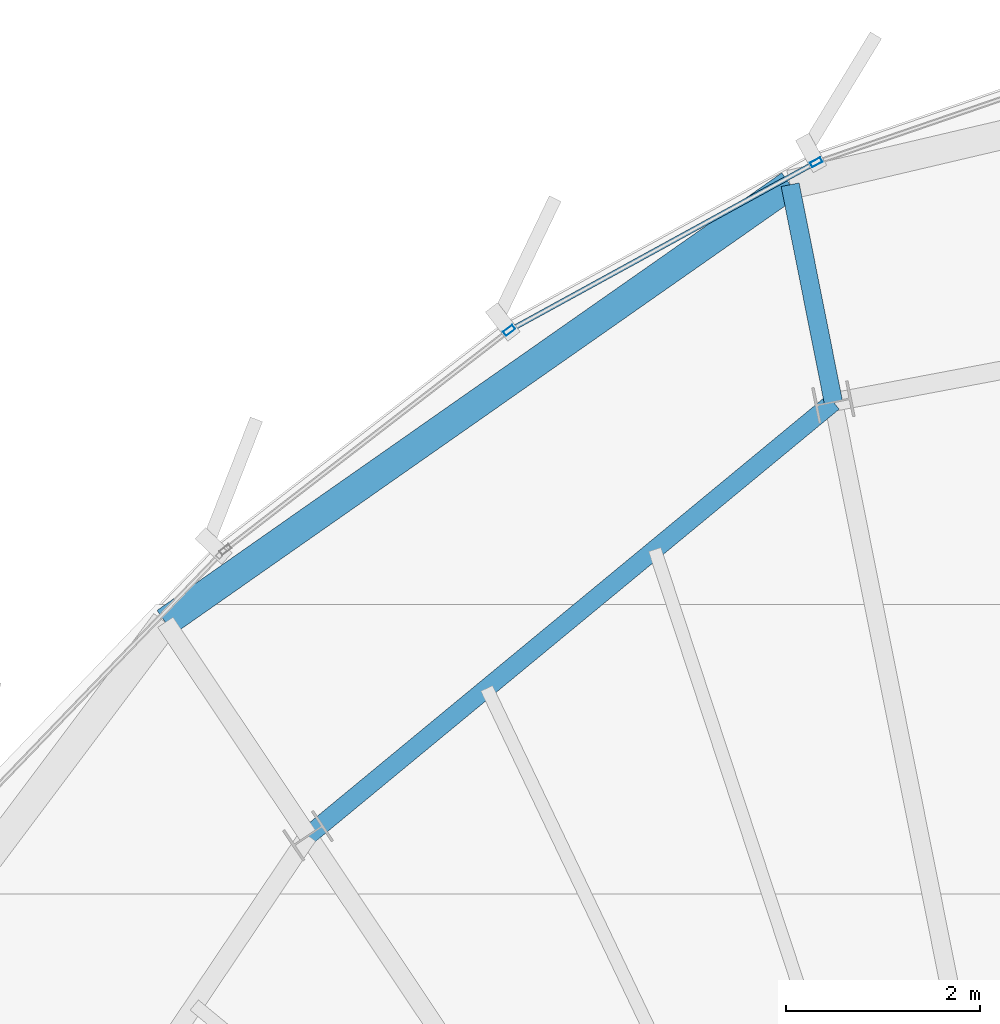
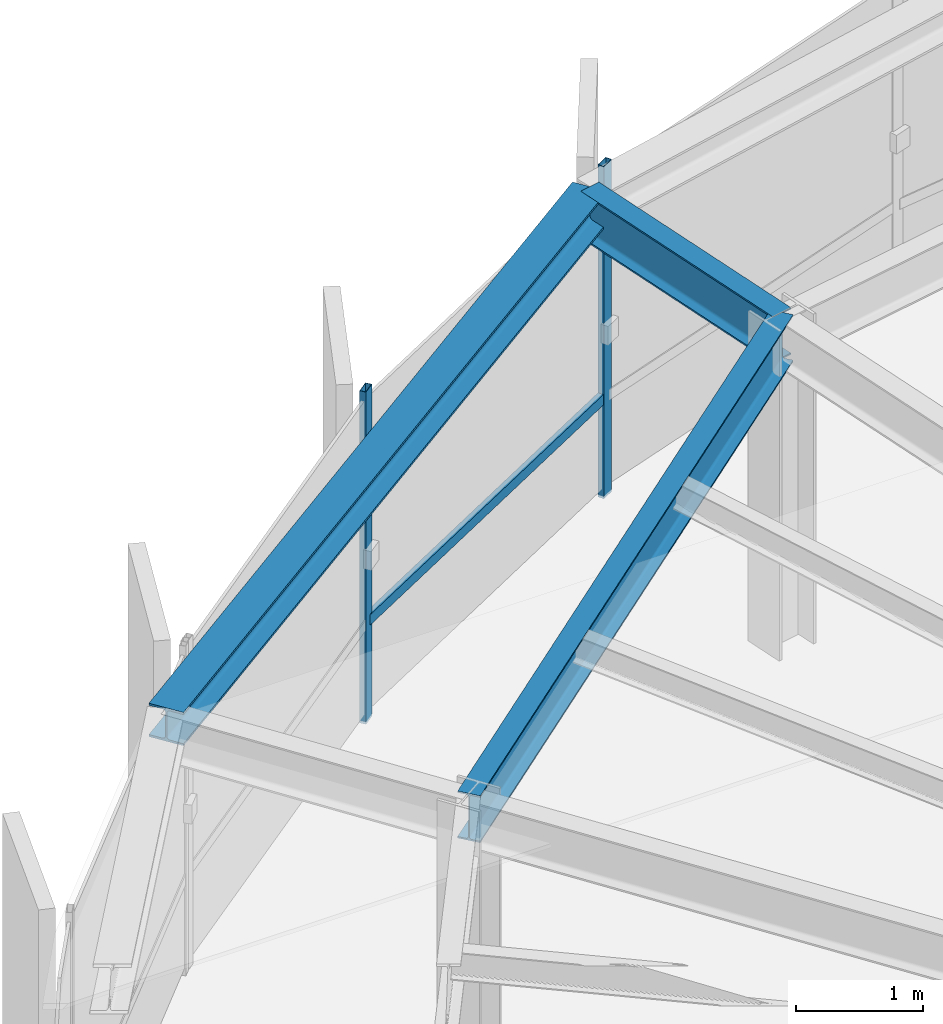
# One storey, part 19 of 31: 3 beams, 3 members, 1 element without a shape of its own.
"""IFC4 building model written with IfcOpenShell, lengths in metres."""

import ifcopenshell
import ifcopenshell.guid

model = None  # the IFC model being written
_history = None  # IfcOwnerHistory: only IFC2X3 demands one
_inside = {}  # id of a spatial element -> (the spatial element, [elements in it])
_under = {}  # id of a project, library or spatial element -> (it, [spatial elements below it])
_declared = {}  # id of a project -> (the project, [libraries it declares])
_typed = {}  # id of a type object -> (the type object, [elements of that type])
_made_of = {}  # id of a material, layer set ... -> (it, [elements and type objects made of it])


def new_model(schema):
    """Start an empty IFC model of exactly this schema.

    Asked for "IFC4X3", IfcOpenShell would pick the latest addendum, in which some entities
    have other attributes; the version numbers below select the first issue.
    IFC2X3 requires an IfcOwnerHistory on every rooted entity: one is made here for all.
    """
    global model, _history
    if schema == "IFC4X3":
        model = ifcopenshell.file(schema_version=(4, 3, 0, 0))
    else:
        model = ifcopenshell.file(schema=schema)
    _inside.clear()
    _under.clear()
    _declared.clear()
    _typed.clear()
    _made_of.clear()
    _history = None
    if model.schema == "IFC2X3":
        org = make("IfcOrganization", Name="unknown")
        user = make(
            "IfcPersonAndOrganization",
            ThePerson=make("IfcPerson", FamilyName="unknown"),
            TheOrganization=org,
        )
        app = make(
            "IfcApplication",
            ApplicationDeveloper=org,
            Version="unknown",
            ApplicationFullName="unknown",
            ApplicationIdentifier="unknown",
        )
        _history = make(
            "IfcOwnerHistory",
            OwningUser=user,
            OwningApplication=app,
            ChangeAction="ADDED",
            CreationDate=0,
        )
    return model


def make(cls, **values):
    """One entity of the class cls with the attributes given. An attribute that is None is left unset."""
    return model.create_entity(
        cls, **{name: value for name, value in values.items() if value is not None}
    )


def rooted(cls, **values):
    """An entity with a GlobalId (a new one), such as an element, a storey or a relation."""
    return make(cls, GlobalId=ifcopenshell.guid.new(), OwnerHistory=_history, **values)


def si_unit(unit_type, name, prefix=None):
    """IfcSIUnit, for example si_unit("LENGTHUNIT", "METRE", prefix="MILLI")."""
    return make("IfcSIUnit", UnitType=unit_type, Prefix=prefix, Name=name)


def assignment(units):
    """IfcUnitAssignment: the units of a project."""
    return None if units is None else make("IfcUnitAssignment", Units=units)


def point(xyz):
    """IfcCartesianPoint."""
    return None if xyz is None else make("IfcCartesianPoint", Coordinates=xyz)


def direction(xyz):
    """IfcDirection."""
    return None if xyz is None else make("IfcDirection", DirectionRatios=xyz)


def frame(location, z_axis=None, x_axis=None):
    """IfcAxis2Placement3D, a coordinate frame: its origin and axes. An axis left out is left unset."""
    return make(
        "IfcAxis2Placement3D",
        Location=point(location),
        Axis=direction(z_axis),
        RefDirection=direction(x_axis),
    )


def frame_2d(location, x_axis=None):
    """IfcAxis2Placement2D, a coordinate frame in the plane: its origin and x axis."""
    return make(
        "IfcAxis2Placement2D", Location=point(location), RefDirection=direction(x_axis)
    )


def origin():
    """The frame at (0, 0, 0) with its axes left unset."""
    return frame((0.0, 0.0, 0.0))


def origin_2d():
    """The frame at (0, 0) in the plane with its x axis left unset."""
    return frame_2d((0.0, 0.0))


def place(relative_to, where):
    """IfcLocalPlacement: puts the frame where relative to a parent placement (None: the world)."""
    return make(
        "IfcLocalPlacement", PlacementRelTo=relative_to, RelativePlacement=where
    )


def context(
    kind, dimensions, precision=None, world=None, true_north=None, identifier=None
):
    """IfcGeometricRepresentationContext, for example the 3D "Model" context."""
    return make(
        "IfcGeometricRepresentationContext",
        ContextIdentifier=identifier,
        ContextType=kind,
        CoordinateSpaceDimension=dimensions,
        Precision=precision,
        WorldCoordinateSystem=world,
        TrueNorth=true_north,
    )


def subcontext(parent, identifier, kind, view, scale=None):
    """IfcGeometricRepresentationSubContext, for example "Body" below "Model"."""
    return make(
        "IfcGeometricRepresentationSubContext",
        ContextIdentifier=identifier,
        ContextType=kind,
        ParentContext=parent,
        TargetScale=scale,
        TargetView=view,
    )


def project(units=None, contexts=None):
    """IfcProject with its units and contexts."""
    return rooted(
        "IfcProject",
        Name="project",
        RepresentationContexts=contexts,
        UnitsInContext=assignment(units),
    )


def spatial(cls, under=None, at=None, **own):
    """A site, building, storey or space (cls), placed at a placement, below another one or the project."""
    s = rooted(cls, ObjectPlacement=at, **own)
    if under is not None:
        _under.setdefault(under.id(), (under, []))[1].append(s)
    return s


def profile(cls, at=None, kind="AREA", **sizes):
    """A parametric profile (cls). Its sizes go by their IFC names, for example OverallWidth=200.0."""
    return make(cls, ProfileType=kind, Position=at, **sizes)


def hollow_rectangle(**sizes):
    """IfcRectangleHollowProfileDef."""
    return profile("IfcRectangleHollowProfileDef", **sizes)


def i_section(**sizes):
    """IfcIShapeProfileDef."""
    return profile("IfcIShapeProfileDef", **sizes)


def extrude(swept, where, along, depth):
    """IfcExtrudedAreaSolid: the profile swept, set in the frame where, extruded along a direction by depth."""
    return make(
        "IfcExtrudedAreaSolid",
        SweptArea=swept,
        Position=where,
        ExtrudedDirection=direction(along),
        Depth=depth,
    )


def shape(context_of_items, identifier, shape_type, items):
    """IfcShapeRepresentation: the items that make up one representation, for example the "Body"."""
    return make(
        "IfcShapeRepresentation",
        ContextOfItems=context_of_items,
        RepresentationIdentifier=identifier,
        RepresentationType=shape_type,
        Items=items,
    )


def source(mapping_origin, context_of_items, identifier, shape_type, items):
    """IfcRepresentationMap: a shape defined once, which mapped items show again and again."""
    return make(
        "IfcRepresentationMap",
        MappingOrigin=mapping_origin,
        MappedRepresentation=shape(context_of_items, identifier, shape_type, items),
    )


def transform(
    local_origin,
    x_axis=None,
    y_axis=None,
    z_axis=None,
    scale=None,
    scale2=None,
    scale3=None,
    uniform=True,
):
    """IfcCartesianTransformationOperator3D, or its non-uniform kind. x_axis, y_axis, z_axis: its Axis1, 2, 3."""
    if uniform:
        return make(
            "IfcCartesianTransformationOperator3D",
            Axis1=direction(x_axis),
            Axis2=direction(y_axis),
            LocalOrigin=point(local_origin),
            Scale=scale,
            Axis3=direction(z_axis),
        )
    return make(
        "IfcCartesianTransformationOperator3DnonUniform",
        Axis1=direction(x_axis),
        Axis2=direction(y_axis),
        LocalOrigin=point(local_origin),
        Scale=scale,
        Axis3=direction(z_axis),
        Scale2=scale2,
        Scale3=scale3,
    )


def mapped(mapping_source, mapping_target):
    """IfcMappedItem: shows the shape of a source again, moved by a transform."""
    return make(
        "IfcMappedItem", MappingSource=mapping_source, MappingTarget=mapping_target
    )


def material(Name=None, Category=None):
    """IfcMaterial."""
    return make("IfcMaterial", Name=Name, Category=Category)


def layer(
    of_material, thickness, ventilated=None, Name=None, Category=None, Priority=None
):
    """IfcMaterialLayer: one layer of a wall or slab, of a material (None: an air gap)."""
    return make(
        "IfcMaterialLayer",
        Material=of_material,
        LayerThickness=thickness,
        IsVentilated=ventilated,
        Name=Name,
        Category=Category,
        Priority=Priority,
    )


def layer_set(layers, Name=None):
    """IfcMaterialLayerSet."""
    return make("IfcMaterialLayerSet", MaterialLayers=layers, LayerSetName=Name)


def material_profile(
    of_material, cross_section, Name=None, Category=None, Priority=None
):
    """IfcMaterialProfile: a cross section and its material."""
    return make(
        "IfcMaterialProfile",
        Name=Name,
        Material=of_material,
        Profile=cross_section,
        Priority=Priority,
        Category=Category,
    )


def profile_set(profiles, Name=None, composite=None):
    """IfcMaterialProfileSet."""
    return make(
        "IfcMaterialProfileSet",
        Name=Name,
        MaterialProfiles=profiles,
        CompositeProfile=composite,
    )


def made_of(thing, what):
    """Note that an element or type object is made of a material, layer set ...; save() writes the relation."""
    if what is not None:
        _made_of.setdefault(what.id(), (what, []))[1].append(thing)
    return thing


def type_object(cls, material=None, **own):
    """A type object (cls), such as IfcWallType, which elements share."""
    return made_of(rooted(cls, **own), material)


def element(
    cls,
    number,
    at=None,
    inside=None,
    cuts=None,
    type_object=None,
    material=None,
    context=None,
    identifier="Body",
    shape_type=None,
    held_by="IfcProductDefinitionShape",
    body=None,
    shapes=None,
    **own,
):
    """One element of the class cls, such as IfcWall. Its Tag is "e" and its number.

    at: its placement. inside: the storey or other place that contains it. cuts: it is an
    opening in that element (IfcRelVoidsElement). A single representation is given by context,
    identifier, shape_type and body (its items); several are given by shapes. held_by: the class
    of the entity that holds the representations. save() writes the other relations.
    """
    e = rooted(cls, Tag="e%d" % number, ObjectPlacement=at, **own)
    if body is not None:
        shapes = [shape(context, identifier, shape_type, body)]
    if shapes is not None:
        e.Representation = make(held_by, Representations=shapes)
    if inside is not None:
        _inside.setdefault(inside.id(), (inside, []))[1].append(e)
    if cuts is not None:
        rooted(
            "IfcRelVoidsElement", RelatingBuildingElement=cuts, RelatedOpeningElement=e
        )
    if type_object is not None:
        _typed.setdefault(type_object.id(), (type_object, []))[1].append(e)
    return made_of(e, material)


def aggregate(whole, parts):
    """IfcRelAggregates: a whole, such as a stair, and the parts it consists of."""
    return rooted("IfcRelAggregates", RelatingObject=whole, RelatedObjects=parts)


def save(model, path):
    """Write the relations noted so far, then the file.

    IfcRelAggregates (storeys below a building ...), IfcRelContainedInSpatialStructure (elements
    in a storey), IfcRelDefinesByType, IfcRelAssociatesMaterial and IfcRelDeclares: one each for
    every whole, place, type object, material and project.
    """
    for whole, parts in _under.values():
        aggregate(whole, parts)
    for where, things in _inside.values():
        rooted(
            "IfcRelContainedInSpatialStructure",
            RelatedElements=things,
            RelatingStructure=where,
        )
    for kind, things in _typed.values():
        rooted("IfcRelDefinesByType", RelatedObjects=things, RelatingType=kind)
    for what, things in _made_of.values():
        rooted("IfcRelAssociatesMaterial", RelatedObjects=things, RelatingMaterial=what)
    for by, libraries in _declared.values():
        rooted("IfcRelDeclares", RelatingContext=by, RelatedDefinitions=libraries)
    model.write(path)


model = new_model("IFC4")

# Units and contexts
model_context = context("Model", 3, precision=1e-05, world=origin(), true_north=direction((0.0, 1.0)))
body_context = subcontext(model_context, "Body", "Model", "MODEL_VIEW")
ifc_project = project(units=[si_unit("LENGTHUNIT", "METRE"), si_unit("AREAUNIT", "SQUARE_METRE"), si_unit("VOLUMEUNIT", "CUBIC_METRE"), si_unit("PLANEANGLEUNIT", "RADIAN"), si_unit("MASSUNIT", "GRAM", prefix="KILO"), si_unit("THERMODYNAMICTEMPERATUREUNIT", "KELVIN")], contexts=[model_context])

# Site, building, storey
site_placement = place(None, origin())
site = spatial("IfcSite", under=ifc_project, at=site_placement, CompositionType="ELEMENT")
building_placement = place(site_placement, origin())
building = spatial("IfcBuilding", under=site, at=building_placement, Name="Kethvar Cultural Tower", CompositionType="ELEMENT")
storey_placement = place(building_placement, frame((0.0, 0.0, 300.85009765625)))
storey = spatial("IfcBuildingStorey", under=building, at=storey_placement, Name="L80", CompositionType="ELEMENT", Elevation=300.85009765625)

# Beams
ifc_material_1 = material(Name="Steel S355J2", Category="steel")
ifc_material_profile_1 = material_profile(ifc_material_1, i_section(OverallWidth=0.18994140625, OverallDepth=0.449951171875, WebThickness=0.009521484375, FlangeThickness=0.0146484375, FilletRadius=0.02099609375, at=origin_2d()), Name="Steel S355J2 — IPE450")
ifc_profile_set_1 = profile_set([ifc_material_profile_1], Name="Steel S355J2 — IPE450")
beam_type_1 = type_object("IfcBeamType", Name="BM-IPE450", PredefinedType="BEAM", material=ifc_profile_set_1)
shared_shape_1 = source(origin(), body_context, "Body", "SweptSolid", [
    extrude(i_section(OverallWidth=0.18994140625, OverallDepth=0.449951171875, WebThickness=0.009521484375, FlangeThickness=0.0146484375, FilletRadius=0.02099609375, at=origin_2d()), origin(), (0.0, 0.0, 1.0), 7.03271484375),
])
beam_1_placement = place(storey_placement, frame((43.23291015625, 45.732421875, 2.9580078125), z_axis=(-0.771161072103, -0.636640087391, 0.0), x_axis=(0.636640087391, -0.771161072103, 0.0)))
element("IfcBeam", 1, at=beam_1_placement, inside=storey, type_object=beam_type_1, Name="L80 Column Ring Tie Beam CR-05", PredefinedType="BEAM", context=body_context, shape_type="MappedRepresentation", body=[
    mapped(shared_shape_1, transform((0.0, 0.0, 0.0), scale=1.0)),
])
shared_shape_2 = source(origin(), body_context, "Body", "SweptSolid", [
    extrude(i_section(OverallWidth=0.18994140625, OverallDepth=0.449951171875, WebThickness=0.009521484375, FlangeThickness=0.0146484375, FilletRadius=0.02099609375, at=origin_2d()), origin(), (0.0, 0.0, 1.0), 2.287841796875),
])
beam_2_placement = place(storey_placement, frame((43.23291015625, 45.732421875, 2.9580078125), z_axis=(-0.195069425563, 0.980789436735, 0.0), x_axis=(-0.980789436735, -0.195069425563, 0.0)))
element("IfcBeam", 2, at=beam_2_placement, inside=storey, type_object=beam_type_1, Name="L80 Perimeter Cantilever Beam RC-05", PredefinedType="BEAM", context=body_context, shape_type="MappedRepresentation", body=[
    mapped(shared_shape_2, transform((0.0, 0.0, 0.0), scale=1.0)),
])
ifc_material_profile_2 = material_profile(ifc_material_1, i_section(OverallWidth=0.300048828125, OverallDepth=0.320068359375, WebThickness=0.011474609375, FlangeThickness=0.0205078125, FilletRadius=0.027099609375, at=origin_2d()), Name="Steel S355J2 — HEB320")
ifc_profile_set_2 = profile_set([ifc_material_profile_2], Name="Steel S355J2 — HEB320")
beam_type_2 = type_object("IfcBeamType", Name="BM-SP320", PredefinedType="SPANDREL", material=ifc_profile_set_2)
shared_shape_3 = source(origin(), body_context, "Body", "SweptSolid", [
    extrude(i_section(OverallWidth=0.300048828125, OverallDepth=0.320068359375, WebThickness=0.011474609375, FlangeThickness=0.0205078125, FilletRadius=0.027099609375, at=origin_2d()), origin(), (0.0, 0.0, 1.0), 7.874267578125),
])
beam_3_placement = place(storey_placement, frame((42.78662109375, 47.976318359375, 3.02294921875), z_axis=(-0.81908040621, -0.573678732535, 0.0), x_axis=(0.573678732535, -0.81908040621, 0.0)))
element("IfcBeam", 3, at=beam_3_placement, inside=storey, type_object=beam_type_2, Name="L80 Perimeter Spandrel Beam SP-05", PredefinedType="SPANDREL", context=body_context, shape_type="MappedRepresentation", body=[
    mapped(shared_shape_3, transform((0.0, 0.0, 0.0), scale=1.0)),
])

# Curtain wall, members
ifc_material_2 = material(Name="Aluminium 6063-T6", Category="aluminium")
ifc_layer = layer(ifc_material_2, 0.179931640625, Name="Aluminium 6063-T6", Category="aluminium")
ifc_layer_set = layer_set([ifc_layer], Name="Aluminium 6063-T6 (180 mm)")
curtain_wall_type = type_object("IfcCurtainWallType", Name="CW-SYS-05-Z56", PredefinedType="NOTDEFINED", material=ifc_layer_set)
curtain_wall_placement = place(storey_placement, origin())
curtain_wall = element("IfcCurtainWall", 4, at=curtain_wall_placement, inside=storey, type_object=curtain_wall_type, Name="L80 Curtain Wall Run 01", PredefinedType="NOTDEFINED")
ifc_material_profile_3 = material_profile(ifc_material_2, hollow_rectangle(XDim=0.054931640625, YDim=0.1201171875, WallThickness=0.00390625, at=origin_2d()), Name="Aluminium 6063-T6 — RHS120x55x4")
ifc_profile_set_3 = profile_set([ifc_material_profile_3], Name="Aluminium 6063-T6 — RHS120x55x4")
member_type_1 = type_object("IfcMemberType", Name="CW-SYS-05-Z56-MUL", PredefinedType="MULLION", material=ifc_profile_set_3)
shared_shape_4 = source(origin(), body_context, "Body", "SweptSolid", [
    extrude(hollow_rectangle(XDim=0.054931640625, YDim=0.1201171875, WallThickness=0.00390625, at=origin_2d()), origin(), (0.0, 0.0, 1.0), 3.184814453125),
])
member_1_placement = place(storey_placement, frame((43.0556640625, 48.2080078125, 0.0), z_axis=(0.0, 0.0, 1.0), x_axis=(0.480468424133, -0.877012025808, 0.0)))
member_1 = element("IfcMember", 5, at=member_1_placement, type_object=member_type_1, Name="CW-L80-R01 Mullion 5", PredefinedType="MULLION", context=body_context, shape_type="MappedRepresentation", body=[
    mapped(shared_shape_4, transform((0.0, 0.0, 0.0), scale=1.0)),
])
member_2_placement = place(storey_placement, frame((39.886474609375, 46.47314453125, 0.0), z_axis=(0.0, 0.0, 1.0), x_axis=(0.611333689551, -0.79137293359, 0.0)))
member_2 = element("IfcMember", 6, at=member_2_placement, type_object=member_type_1, Name="CW-L80-R01 Mullion 6", PredefinedType="MULLION", context=body_context, shape_type="MappedRepresentation", body=[
    mapped(shared_shape_4, transform((0.0, 0.0, 0.0), scale=1.0)),
])
ifc_material_profile_4 = material_profile(ifc_material_2, hollow_rectangle(XDim=0.050048828125, YDim=0.10009765625, WallThickness=0.00390625, at=origin_2d()), Name="Aluminium 6063-T6 — RHS100x50x4")
ifc_profile_set_4 = profile_set([ifc_material_profile_4], Name="Aluminium 6063-T6 — RHS100x50x4")
member_type_2 = type_object("IfcMemberType", Name="CW-SYS-05-Z56-TRN", PredefinedType="USERDEFINED", material=ifc_profile_set_4)
shared_shape_5 = source(origin(), body_context, "Body", "SweptSolid", [
    extrude(hollow_rectangle(XDim=0.050048828125, YDim=0.10009765625, WallThickness=0.00390625, at=origin_2d()), origin(), (0.0, 0.0, 1.0), 3.54931640625),
])
member_3_placement = place(storey_placement, frame((43.02099609375, 48.189208984375, 0.949951171875), z_axis=(-0.876984475313, -0.480518709375, 0.0), x_axis=(0.480518709375, -0.876984475313, 0.0)))
member_3 = element("IfcMember", 7, at=member_3_placement, type_object=member_type_2, Name="CW-L80-R01 Transom 5", ObjectType="TRANSOM", PredefinedType="USERDEFINED", context=body_context, shape_type="MappedRepresentation", body=[
    mapped(shared_shape_5, transform((0.0, 0.0, 0.0), scale=1.0)),
])
aggregate(curtain_wall, [member_1, member_2, member_3])

save(model, "model.ifc")
